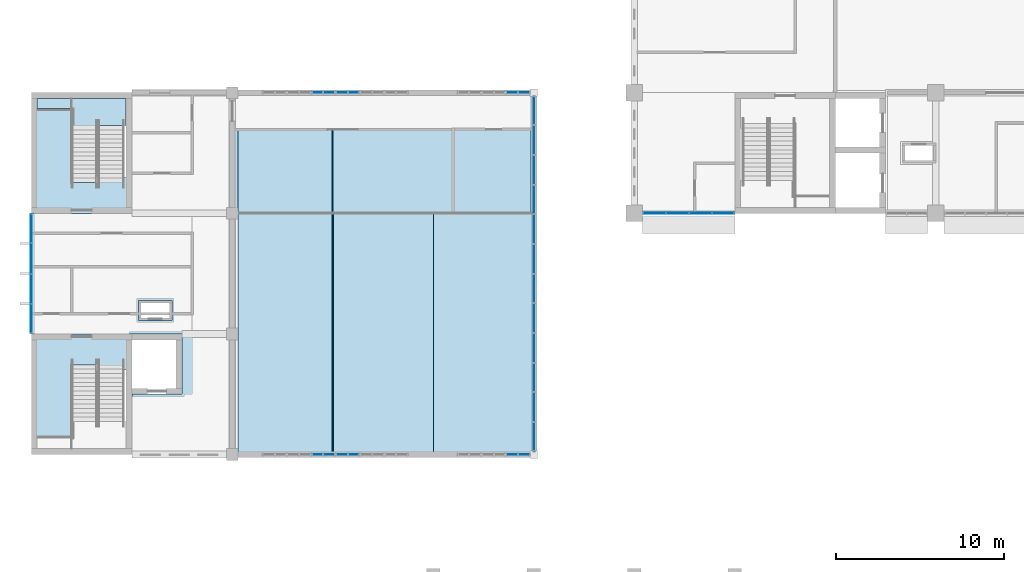
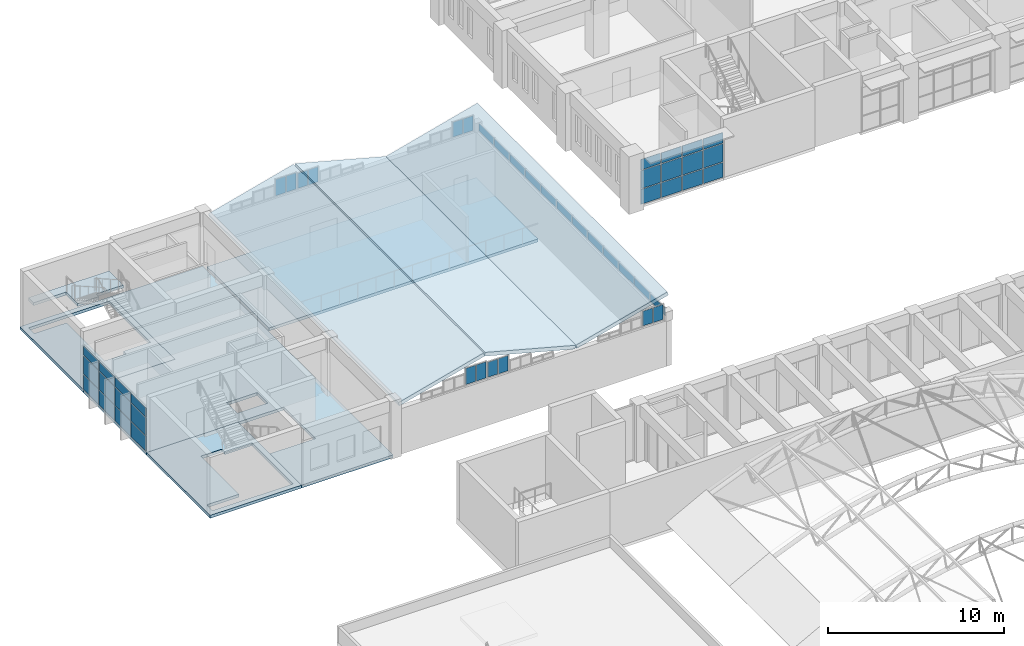
# One storey, part 54 of 92: 48 plates, 8 slabs, 11 elements without a shape of their own.
"""IFC4 building model written with IfcOpenShell, lengths in metres."""

from ifc_helpers import new_model, si_unit, direction, frame, origin, origin_2d, place, context, subcontext, project, spatial, polyline, rectangle, outline, extrude, material, layer, layer_set, type_object, element, aggregate, save


model = new_model("IFC4")

# Units and contexts
model_context = context("Model", 3, precision=1e-05, world=origin(), true_north=direction((0.0, 1.0)))
body_context = subcontext(model_context, "Body", "Model", "MODEL_VIEW")
ifc_project = project(units=[si_unit("LENGTHUNIT", "METRE"), si_unit("AREAUNIT", "SQUARE_METRE"), si_unit("VOLUMEUNIT", "CUBIC_METRE"), si_unit("PLANEANGLEUNIT", "RADIAN"), si_unit("MASSUNIT", "GRAM", prefix="KILO")], contexts=[model_context])

# Site, building, storey
site_placement = place(None, origin())
site = spatial("IfcSite", under=ifc_project, at=site_placement, CompositionType="ELEMENT")
building_placement = place(site_placement, origin())
building = spatial("IfcBuilding", under=site, at=building_placement, Name="Laocheng Heights Fire and Rescue Headquarters", CompositionType="ELEMENT")
storey_placement = place(building_placement, frame((0.0, 0.0, 12.60009765625)))
storey = spatial("IfcBuildingStorey", under=building, at=storey_placement, Name="L03", CompositionType="ELEMENT", Elevation=12.60009765625)

# Curtain wall, plates
ifc_material_1 = material(Name="Dark anodised aluminium unitised curtain wall, low-e double glazing", Category="aluminium")
curtain_wall_type_1 = type_object("IfcCurtainWallType", Name="CW 7200 x 3100 FOYER GLAZING", PredefinedType="NOTDEFINED", material=ifc_material_1)
curtain_wall_1_placement = place(storey_placement, origin())
curtain_wall_1 = element("IfcCurtainWall", 1, at=curtain_wall_1_placement, inside=storey, type_object=curtain_wall_type_1, Name="X3-V FOYER WEST L03", PredefinedType="NOTDEFINED")
ifc_material_2 = material(Name="Laminated safety glass, low-e double glazed unit", Category="glass")
ifc_layer_1 = layer(ifc_material_2, 0.0400390625)
ifc_layer_set_1 = layer_set([ifc_layer_1], Name="Laminated safety glass, low-e double glazed unit")
plate_type_1 = type_object("IfcPlateType", Name="CW LAMINATED SAFETY PANEL 40 V", PredefinedType="CURTAIN_PANEL", material=ifc_layer_set_1)
plate_1_placement = place(storey_placement, frame((0.0, 44.114990234375, 0.050048828125), z_axis=(0.0, 0.0, 1.0), x_axis=(0.0, 1.0, 0.0)))
plate_1 = element("IfcPlate", 2, at=plate_1_placement, type_object=plate_type_1, Name="X3-V panel 1.1", PredefinedType="CURTAIN_PANEL", context=body_context, shape_type="SweptSolid", body=[
    extrude(rectangle(XDim=1.7099609375, YDim=0.0400390625, at=origin_2d()), origin(), (0.0, 0.0, 1.0), 1.02490234375),
])
plate_2_placement = place(storey_placement, frame((0.0, 45.89990234375, 0.050048828125), z_axis=(0.0, 0.0, 1.0), x_axis=(0.0, 1.0, 0.0)))
plate_2 = element("IfcPlate", 3, at=plate_2_placement, type_object=plate_type_1, Name="X3-V panel 2.1", PredefinedType="CURTAIN_PANEL", context=body_context, shape_type="SweptSolid", body=[
    extrude(rectangle(XDim=1.739990234375, YDim=0.0400390625, at=origin_2d()), origin(), (0.0, 0.0, 1.0), 1.02490234375),
])
plate_3_placement = place(storey_placement, frame((0.0, 47.699951171875, 0.050048828125), z_axis=(0.0, 0.0, 1.0), x_axis=(0.0, 1.0, 0.0)))
plate_3 = element("IfcPlate", 4, at=plate_3_placement, type_object=plate_type_1, Name="X3-V panel 3.1", PredefinedType="CURTAIN_PANEL", context=body_context, shape_type="SweptSolid", body=[
    extrude(rectangle(XDim=1.739990234375, YDim=0.0400390625, at=origin_2d()), origin(), (0.0, 0.0, 1.0), 1.02490234375),
])
plate_4_placement = place(storey_placement, frame((0.0, 49.485107421875, 0.050048828125), z_axis=(0.0, 0.0, 1.0), x_axis=(0.0, 1.0, 0.0)))
plate_4 = element("IfcPlate", 5, at=plate_4_placement, type_object=plate_type_1, Name="X3-V panel 4.1", PredefinedType="CURTAIN_PANEL", context=body_context, shape_type="SweptSolid", body=[
    extrude(rectangle(XDim=1.7099609375, YDim=0.0400390625, at=origin_2d()), origin(), (0.0, 0.0, 1.0), 1.02490234375),
])

ifc_material_3 = material(Name="Dark anodised aluminium unitised curtain wall, low-e double glazing", Category="aluminium")
curtain_wall_type_2 = type_object("IfcCurtainWallType", Name="CW 5500 x 3200 HQ SOUTH RIBBON", PredefinedType="NOTDEFINED", material=ifc_material_3)
curtain_wall_2_placement = place(storey_placement, origin())
curtain_wall_2 = element("IfcCurtainWall", 6, at=curtain_wall_2_placement, inside=storey, type_object=curtain_wall_type_2, Name="X8-X HQ SOUTH L03", PredefinedType="NOTDEFINED")
ifc_material_4 = material(Name="Laminated safety glass, low-e double glazed unit", Category="glass")
ifc_layer_2 = layer(ifc_material_4, 0.0400390625)
ifc_layer_set_2 = layer_set([ifc_layer_2], Name="Laminated safety glass, low-e double glazed unit")
plate_type_2 = type_object("IfcPlateType", Name="CW LAMINATED SAFETY PANEL 40 X", PredefinedType="CURTAIN_PANEL", material=ifc_layer_set_2)
plate_5_placement = place(storey_placement, frame((37.202392578125, 50.39990234375, 0.050048828125), z_axis=(0.0, 0.0, 1.0), x_axis=(1.0, 0.0, 0.0)))
plate_5 = element("IfcPlate", 7, at=plate_5_placement, type_object=plate_type_2, Name="X8-X panel 1.1", PredefinedType="CURTAIN_PANEL", context=body_context, shape_type="SweptSolid", body=[
    extrude(rectangle(XDim=1.284912109375, YDim=0.0400390625, at=origin_2d()), origin(), (0.0, 0.0, 1.0), 1.02490234375),
])
plate_6_placement = place(storey_placement, frame((38.5625, 50.39990234375, 0.050048828125), z_axis=(0.0, 0.0, 1.0), x_axis=(1.0, 0.0, 0.0)))
plate_6 = element("IfcPlate", 8, at=plate_6_placement, type_object=plate_type_2, Name="X8-X panel 2.1", PredefinedType="CURTAIN_PANEL", context=body_context, shape_type="SweptSolid", body=[
    extrude(rectangle(XDim=1.31494140625, YDim=0.0400390625, at=origin_2d()), origin(), (0.0, 0.0, 1.0), 1.02490234375),
])
plate_7_placement = place(storey_placement, frame((39.9375, 50.39990234375, 0.050048828125), z_axis=(0.0, 0.0, 1.0), x_axis=(1.0, 0.0, 0.0)))
plate_7 = element("IfcPlate", 9, at=plate_7_placement, type_object=plate_type_2, Name="X8-X panel 3.1", PredefinedType="CURTAIN_PANEL", context=body_context, shape_type="SweptSolid", body=[
    extrude(rectangle(XDim=1.31494140625, YDim=0.0400390625, at=origin_2d()), origin(), (0.0, 0.0, 1.0), 1.02490234375),
])
plate_8_placement = place(storey_placement, frame((41.297607421875, 50.39990234375, 0.050048828125), z_axis=(0.0, 0.0, 1.0), x_axis=(1.0, 0.0, 0.0)))
plate_8 = element("IfcPlate", 10, at=plate_8_placement, type_object=plate_type_2, Name="X8-X panel 4.1", PredefinedType="CURTAIN_PANEL", context=body_context, shape_type="SweptSolid", body=[
    extrude(rectangle(XDim=1.284912109375, YDim=0.0400390625, at=origin_2d()), origin(), (0.0, 0.0, 1.0), 1.02490234375),
])

# Plate
ifc_material_5 = material(Name="Low-e double glazed unit, laminated inner pane")
ifc_layer_3 = layer(ifc_material_5, 0.028076171875)
ifc_layer_set_3 = layer_set([ifc_layer_3], Name="Low-e double glazed unit, laminated inner pane")
plate_type_3 = type_object("IfcPlateType", Name="CW VISION PANEL 28 V", PredefinedType="CURTAIN_PANEL", material=ifc_layer_set_3)
plate_9_placement = place(storey_placement, frame((0.0, 44.114990234375, 1.125), z_axis=(0.0, 0.0, 1.0), x_axis=(0.0, 1.0, 0.0)))
plate_9 = element("IfcPlate", 11, at=plate_9_placement, type_object=plate_type_3, Name="X3-V panel 1.2", PredefinedType="CURTAIN_PANEL", context=body_context, shape_type="SweptSolid", body=[
    extrude(rectangle(XDim=1.7099609375, YDim=0.028076171875, at=origin_2d()), origin(), (0.0, 0.0, 1.0), 1.25),
])

plate_10_placement = place(storey_placement, frame((0.0, 44.114990234375, 2.4248046875), z_axis=(0.0, 0.0, 1.0), x_axis=(0.0, 1.0, 0.0)))
plate_10 = element("IfcPlate", 12, at=plate_10_placement, type_object=plate_type_3, Name="X3-V panel 1.3", PredefinedType="CURTAIN_PANEL", context=body_context, shape_type="SweptSolid", body=[
    extrude(rectangle(XDim=1.7099609375, YDim=0.028076171875, at=origin_2d()), origin(), (0.0, 0.0, 1.0), 0.625),
])

plate_11_placement = place(storey_placement, frame((0.0, 45.89990234375, 1.125), z_axis=(0.0, 0.0, 1.0), x_axis=(0.0, 1.0, 0.0)))
plate_11 = element("IfcPlate", 13, at=plate_11_placement, type_object=plate_type_3, Name="X3-V panel 2.2", PredefinedType="CURTAIN_PANEL", context=body_context, shape_type="SweptSolid", body=[
    extrude(rectangle(XDim=1.739990234375, YDim=0.028076171875, at=origin_2d()), origin(), (0.0, 0.0, 1.0), 1.25),
])

plate_12_placement = place(storey_placement, frame((0.0, 45.89990234375, 2.4248046875), z_axis=(0.0, 0.0, 1.0), x_axis=(0.0, 1.0, 0.0)))
plate_12 = element("IfcPlate", 14, at=plate_12_placement, type_object=plate_type_3, Name="X3-V panel 2.3", PredefinedType="CURTAIN_PANEL", context=body_context, shape_type="SweptSolid", body=[
    extrude(rectangle(XDim=1.739990234375, YDim=0.028076171875, at=origin_2d()), origin(), (0.0, 0.0, 1.0), 0.625),
])

plate_13_placement = place(storey_placement, frame((0.0, 47.699951171875, 1.125), z_axis=(0.0, 0.0, 1.0), x_axis=(0.0, 1.0, 0.0)))
plate_13 = element("IfcPlate", 15, at=plate_13_placement, type_object=plate_type_3, Name="X3-V panel 3.2", PredefinedType="CURTAIN_PANEL", context=body_context, shape_type="SweptSolid", body=[
    extrude(rectangle(XDim=1.739990234375, YDim=0.028076171875, at=origin_2d()), origin(), (0.0, 0.0, 1.0), 1.25),
])

plate_14_placement = place(storey_placement, frame((0.0, 47.699951171875, 2.4248046875), z_axis=(0.0, 0.0, 1.0), x_axis=(0.0, 1.0, 0.0)))
plate_14 = element("IfcPlate", 16, at=plate_14_placement, type_object=plate_type_3, Name="X3-V panel 3.3", PredefinedType="CURTAIN_PANEL", context=body_context, shape_type="SweptSolid", body=[
    extrude(rectangle(XDim=1.739990234375, YDim=0.028076171875, at=origin_2d()), origin(), (0.0, 0.0, 1.0), 0.625),
])

plate_15_placement = place(storey_placement, frame((0.0, 49.485107421875, 1.125), z_axis=(0.0, 0.0, 1.0), x_axis=(0.0, 1.0, 0.0)))
plate_15 = element("IfcPlate", 17, at=plate_15_placement, type_object=plate_type_3, Name="X3-V panel 4.2", PredefinedType="CURTAIN_PANEL", context=body_context, shape_type="SweptSolid", body=[
    extrude(rectangle(XDim=1.7099609375, YDim=0.028076171875, at=origin_2d()), origin(), (0.0, 0.0, 1.0), 1.25),
])

plate_16_placement = place(storey_placement, frame((0.0, 49.485107421875, 2.4248046875), z_axis=(0.0, 0.0, 1.0), x_axis=(0.0, 1.0, 0.0)))
plate_16 = element("IfcPlate", 18, at=plate_16_placement, type_object=plate_type_3, Name="X3-V panel 4.3", PredefinedType="CURTAIN_PANEL", context=body_context, shape_type="SweptSolid", body=[
    extrude(rectangle(XDim=1.7099609375, YDim=0.028076171875, at=origin_2d()), origin(), (0.0, 0.0, 1.0), 0.625),
])

aggregate(curtain_wall_1, [plate_1, plate_9, plate_10, plate_2, plate_11, plate_12, plate_3, plate_13, plate_14, plate_4, plate_15, plate_16])

# Curtain wall, plates
ifc_material_6 = material(Name="Dark anodised aluminium unitised curtain wall, low-e double glazing", Category="aluminium")
curtain_wall_type_3 = type_object("IfcCurtainWallType", Name="CW 21250 x 636 THEATRE CLERESTORY", PredefinedType="NOTDEFINED", material=ifc_material_6)
curtain_wall_3_placement = place(storey_placement, origin())
curtain_wall_3 = element("IfcCurtainWall", 19, at=curtain_wall_3_placement, inside=storey, type_object=curtain_wall_type_3, Name="X5-V THEATRE CLERESTORY EAST", PredefinedType="NOTDEFINED")
plate_17_placement = place(storey_placement, frame((30.0, 37.075439453125, 3.19970703125), z_axis=(0.0, 0.0, 1.0), x_axis=(0.0, 1.0, 0.0)))
plate_17 = element("IfcPlate", 20, at=plate_17_placement, type_object=plate_type_3, Name="X5-V panel 1.1", PredefinedType="CURTAIN_PANEL", context=body_context, shape_type="SweptSolid", body=[
    extrude(rectangle(XDim=1.680908203125, YDim=0.028076171875, at=origin_2d()), origin(), (0.0, 0.0, 1.0), 0.536376953125),
])
plate_18_placement = place(storey_placement, frame((30.0, 38.831298828125, 3.19970703125), z_axis=(0.0, 0.0, 1.0), x_axis=(0.0, 1.0, 0.0)))
plate_18 = element("IfcPlate", 21, at=plate_18_placement, type_object=plate_type_3, Name="X5-V panel 2.1", PredefinedType="CURTAIN_PANEL", context=body_context, shape_type="SweptSolid", body=[
    extrude(rectangle(XDim=1.7109375, YDim=0.028076171875, at=origin_2d()), origin(), (0.0, 0.0, 1.0), 0.536376953125),
])
plate_19_placement = place(storey_placement, frame((30.0, 40.60205078125, 3.19970703125), z_axis=(0.0, 0.0, 1.0), x_axis=(0.0, 1.0, 0.0)))
plate_19 = element("IfcPlate", 22, at=plate_19_placement, type_object=plate_type_3, Name="X5-V panel 3.1", PredefinedType="CURTAIN_PANEL", context=body_context, shape_type="SweptSolid", body=[
    extrude(rectangle(XDim=1.7109375, YDim=0.028076171875, at=origin_2d()), origin(), (0.0, 0.0, 1.0), 0.536376953125),
])
plate_20_placement = place(storey_placement, frame((30.0, 42.372802734375, 3.19970703125), z_axis=(0.0, 0.0, 1.0), x_axis=(0.0, 1.0, 0.0)))
plate_20 = element("IfcPlate", 23, at=plate_20_placement, type_object=plate_type_3, Name="X5-V panel 4.1", PredefinedType="CURTAIN_PANEL", context=body_context, shape_type="SweptSolid", body=[
    extrude(rectangle(XDim=1.7109375, YDim=0.028076171875, at=origin_2d()), origin(), (0.0, 0.0, 1.0), 0.536376953125),
])
plate_21_placement = place(storey_placement, frame((30.0, 44.143798828125, 3.19970703125), z_axis=(0.0, 0.0, 1.0), x_axis=(0.0, 1.0, 0.0)))
plate_21 = element("IfcPlate", 24, at=plate_21_placement, type_object=plate_type_3, Name="X5-V panel 5.1", PredefinedType="CURTAIN_PANEL", context=body_context, shape_type="SweptSolid", body=[
    extrude(rectangle(XDim=1.7109375, YDim=0.028076171875, at=origin_2d()), origin(), (0.0, 0.0, 1.0), 0.536376953125),
])
plate_22_placement = place(storey_placement, frame((30.0, 45.91455078125, 3.19970703125), z_axis=(0.0, 0.0, 1.0), x_axis=(0.0, 1.0, 0.0)))
plate_22 = element("IfcPlate", 25, at=plate_22_placement, type_object=plate_type_3, Name="X5-V panel 6.1", PredefinedType="CURTAIN_PANEL", context=body_context, shape_type="SweptSolid", body=[
    extrude(rectangle(XDim=1.7109375, YDim=0.028076171875, at=origin_2d()), origin(), (0.0, 0.0, 1.0), 0.536376953125),
])
plate_23_placement = place(storey_placement, frame((30.0, 47.685302734375, 3.19970703125), z_axis=(0.0, 0.0, 1.0), x_axis=(0.0, 1.0, 0.0)))
plate_23 = element("IfcPlate", 26, at=plate_23_placement, type_object=plate_type_3, Name="X5-V panel 7.1", PredefinedType="CURTAIN_PANEL", context=body_context, shape_type="SweptSolid", body=[
    extrude(rectangle(XDim=1.7109375, YDim=0.028076171875, at=origin_2d()), origin(), (0.0, 0.0, 1.0), 0.536376953125),
])
plate_24_placement = place(storey_placement, frame((30.0, 49.456298828125, 3.19970703125), z_axis=(0.0, 0.0, 1.0), x_axis=(0.0, 1.0, 0.0)))
plate_24 = element("IfcPlate", 27, at=plate_24_placement, type_object=plate_type_3, Name="X5-V panel 8.1", PredefinedType="CURTAIN_PANEL", context=body_context, shape_type="SweptSolid", body=[
    extrude(rectangle(XDim=1.7109375, YDim=0.028076171875, at=origin_2d()), origin(), (0.0, 0.0, 1.0), 0.536376953125),
])
plate_25_placement = place(storey_placement, frame((30.0, 51.22705078125, 3.19970703125), z_axis=(0.0, 0.0, 1.0), x_axis=(0.0, 1.0, 0.0)))
plate_25 = element("IfcPlate", 28, at=plate_25_placement, type_object=plate_type_3, Name="X5-V panel 9.1", PredefinedType="CURTAIN_PANEL", context=body_context, shape_type="SweptSolid", body=[
    extrude(rectangle(XDim=1.7109375, YDim=0.028076171875, at=origin_2d()), origin(), (0.0, 0.0, 1.0), 0.536376953125),
])
plate_26_placement = place(storey_placement, frame((30.0, 52.997802734375, 3.19970703125), z_axis=(0.0, 0.0, 1.0), x_axis=(0.0, 1.0, 0.0)))
plate_26 = element("IfcPlate", 29, at=plate_26_placement, type_object=plate_type_3, Name="X5-V panel 10.1", PredefinedType="CURTAIN_PANEL", context=body_context, shape_type="SweptSolid", body=[
    extrude(rectangle(XDim=1.7109375, YDim=0.028076171875, at=origin_2d()), origin(), (0.0, 0.0, 1.0), 0.536376953125),
])
plate_27_placement = place(storey_placement, frame((30.0, 54.768798828125, 3.19970703125), z_axis=(0.0, 0.0, 1.0), x_axis=(0.0, 1.0, 0.0)))
plate_27 = element("IfcPlate", 30, at=plate_27_placement, type_object=plate_type_3, Name="X5-V panel 11.1", PredefinedType="CURTAIN_PANEL", context=body_context, shape_type="SweptSolid", body=[
    extrude(rectangle(XDim=1.7109375, YDim=0.028076171875, at=origin_2d()), origin(), (0.0, 0.0, 1.0), 0.536376953125),
])
plate_28_placement = place(storey_placement, frame((30.0, 56.524658203125, 3.19970703125), z_axis=(0.0, 0.0, 1.0), x_axis=(0.0, 1.0, 0.0)))
plate_28 = element("IfcPlate", 31, at=plate_28_placement, type_object=plate_type_3, Name="X5-V panel 12.1", PredefinedType="CURTAIN_PANEL", context=body_context, shape_type="SweptSolid", body=[
    extrude(rectangle(XDim=1.680908203125, YDim=0.028076171875, at=origin_2d()), origin(), (0.0, 0.0, 1.0), 0.536376953125),
])
aggregate(curtain_wall_3, [plate_17, plate_18, plate_19, plate_20, plate_21, plate_22, plate_23, plate_24, plate_25, plate_26, plate_27, plate_28])

ifc_material_7 = material(Name="Dark anodised aluminium unitised curtain wall, low-e double glazing", Category="aluminium")
curtain_wall_type_4 = type_object("IfcCurtainWallType", Name="CW 1452 x 1228 THEATRE GABLE UNIT", PredefinedType="NOTDEFINED", material=ifc_material_7)
curtain_wall_4_placement = place(storey_placement, origin())
curtain_wall_4 = element("IfcCurtainWall", 32, at=curtain_wall_4_placement, inside=storey, type_object=curtain_wall_type_4, Name="X8-V THEATRE SOUTH GABLE 4", PredefinedType="NOTDEFINED")
plate_29_placement = place(storey_placement, frame((17.084228515625, 36.0, 3.20849609375), z_axis=(0.0, 0.0, 1.0), x_axis=(1.0, 0.0, 0.0)))
plate_29 = element("IfcPlate", 33, at=plate_29_placement, type_object=plate_type_3, Name="X8-V panel 1.1", PredefinedType="CURTAIN_PANEL", context=body_context, shape_type="SweptSolid", body=[
    extrude(rectangle(XDim=0.635986328125, YDim=0.028076171875, at=origin_2d()), origin(), (0.0, 0.0, 1.0), 1.127685546875),
])
plate_30_placement = place(storey_placement, frame((17.7802734375, 36.0, 3.20849609375), z_axis=(0.0, 0.0, 1.0), x_axis=(1.0, 0.0, 0.0)))
plate_30 = element("IfcPlate", 34, at=plate_30_placement, type_object=plate_type_3, Name="X8-V panel 2.1", PredefinedType="CURTAIN_PANEL", context=body_context, shape_type="SweptSolid", body=[
    extrude(rectangle(XDim=0.635986328125, YDim=0.028076171875, at=origin_2d()), origin(), (0.0, 0.0, 1.0), 1.127685546875),
])
aggregate(curtain_wall_4, [plate_29, plate_30])

ifc_material_8 = material(Name="Dark anodised aluminium unitised curtain wall, low-e double glazing", Category="aluminium")
curtain_wall_type_5 = type_object("IfcCurtainWallType", Name="CW 1452 x 1143 THEATRE GABLE UNIT", PredefinedType="NOTDEFINED", material=ifc_material_8)
curtain_wall_5_placement = place(storey_placement, origin())
curtain_wall_5 = element("IfcCurtainWall", 35, at=curtain_wall_5_placement, inside=storey, type_object=curtain_wall_type_5, Name="X9-V THEATRE SOUTH GABLE 5", PredefinedType="NOTDEFINED")
plate_31_placement = place(storey_placement, frame((18.536376953125, 36.0, 3.20849609375), z_axis=(0.0, 0.0, 1.0), x_axis=(1.0, 0.0, 0.0)))
plate_31 = element("IfcPlate", 36, at=plate_31_placement, type_object=plate_type_3, Name="X9-V panel 1.1", PredefinedType="CURTAIN_PANEL", context=body_context, shape_type="SweptSolid", body=[
    extrude(rectangle(XDim=0.635986328125, YDim=0.028076171875, at=origin_2d()), origin(), (0.0, 0.0, 1.0), 1.043212890625),
])
plate_32_placement = place(storey_placement, frame((19.232421875, 36.0, 3.20849609375), z_axis=(0.0, 0.0, 1.0), x_axis=(1.0, 0.0, 0.0)))
plate_32 = element("IfcPlate", 37, at=plate_32_placement, type_object=plate_type_3, Name="X9-V panel 2.1", PredefinedType="CURTAIN_PANEL", context=body_context, shape_type="SweptSolid", body=[
    extrude(rectangle(XDim=0.635986328125, YDim=0.028076171875, at=origin_2d()), origin(), (0.0, 0.0, 1.0), 1.043212890625),
])
aggregate(curtain_wall_5, [plate_31, plate_32])

ifc_material_9 = material(Name="Dark anodised aluminium unitised curtain wall, low-e double glazing", Category="aluminium")
curtain_wall_type_6 = type_object("IfcCurtainWallType", Name="CW 1452 x 1126 THEATRE GABLE UNIT", PredefinedType="NOTDEFINED", material=ifc_material_9)
curtain_wall_6_placement = place(storey_placement, origin())
curtain_wall_6 = element("IfcCurtainWall", 38, at=curtain_wall_6_placement, inside=storey, type_object=curtain_wall_type_6, Name="X14-V THEATRE SOUTH GABLE 12", PredefinedType="NOTDEFINED")
plate_33_placement = place(storey_placement, frame((28.700927734375, 36.0, 3.20849609375), z_axis=(0.0, 0.0, 1.0), x_axis=(1.0, 0.0, 0.0)))
plate_33 = element("IfcPlate", 39, at=plate_33_placement, type_object=plate_type_3, Name="X14-V panel 1.1", PredefinedType="CURTAIN_PANEL", context=body_context, shape_type="SweptSolid", body=[
    extrude(rectangle(XDim=0.635986328125, YDim=0.028076171875, at=origin_2d()), origin(), (0.0, 0.0, 1.0), 1.025390625),
])
plate_34_placement = place(storey_placement, frame((29.39697265625, 36.0, 3.20849609375), z_axis=(0.0, 0.0, 1.0), x_axis=(1.0, 0.0, 0.0)))
plate_34 = element("IfcPlate", 40, at=plate_34_placement, type_object=plate_type_3, Name="X14-V panel 2.1", PredefinedType="CURTAIN_PANEL", context=body_context, shape_type="SweptSolid", body=[
    extrude(rectangle(XDim=0.635986328125, YDim=0.028076171875, at=origin_2d()), origin(), (0.0, 0.0, 1.0), 1.025390625),
])
aggregate(curtain_wall_6, [plate_33, plate_34])

curtain_wall_7_placement = place(storey_placement, origin())
curtain_wall_7 = element("IfcCurtainWall", 41, at=curtain_wall_7_placement, inside=storey, type_object=curtain_wall_type_4, Name="X8-V THEATRE NORTH GABLE 4", PredefinedType="NOTDEFINED")
plate_35_placement = place(storey_placement, frame((17.084228515625, 57.60009765625, 3.20849609375), z_axis=(0.0, 0.0, 1.0), x_axis=(1.0, 0.0, 0.0)))
plate_35 = element("IfcPlate", 42, at=plate_35_placement, type_object=plate_type_3, Name="X8-V panel 1.1", PredefinedType="CURTAIN_PANEL", context=body_context, shape_type="SweptSolid", body=[
    extrude(rectangle(XDim=0.635986328125, YDim=0.028076171875, at=origin_2d()), origin(), (0.0, 0.0, 1.0), 1.127685546875),
])
plate_36_placement = place(storey_placement, frame((17.7802734375, 57.60009765625, 3.20849609375), z_axis=(0.0, 0.0, 1.0), x_axis=(1.0, 0.0, 0.0)))
plate_36 = element("IfcPlate", 43, at=plate_36_placement, type_object=plate_type_3, Name="X8-V panel 2.1", PredefinedType="CURTAIN_PANEL", context=body_context, shape_type="SweptSolid", body=[
    extrude(rectangle(XDim=0.635986328125, YDim=0.028076171875, at=origin_2d()), origin(), (0.0, 0.0, 1.0), 1.127685546875),
])
aggregate(curtain_wall_7, [plate_35, plate_36])

curtain_wall_8_placement = place(storey_placement, origin())
curtain_wall_8 = element("IfcCurtainWall", 44, at=curtain_wall_8_placement, inside=storey, type_object=curtain_wall_type_5, Name="X9-V THEATRE NORTH GABLE 5", PredefinedType="NOTDEFINED")
plate_37_placement = place(storey_placement, frame((18.536376953125, 57.60009765625, 3.20849609375), z_axis=(0.0, 0.0, 1.0), x_axis=(1.0, 0.0, 0.0)))
plate_37 = element("IfcPlate", 45, at=plate_37_placement, type_object=plate_type_3, Name="X9-V panel 1.1", PredefinedType="CURTAIN_PANEL", context=body_context, shape_type="SweptSolid", body=[
    extrude(rectangle(XDim=0.635986328125, YDim=0.028076171875, at=origin_2d()), origin(), (0.0, 0.0, 1.0), 1.043212890625),
])
plate_38_placement = place(storey_placement, frame((19.232421875, 57.60009765625, 3.20849609375), z_axis=(0.0, 0.0, 1.0), x_axis=(1.0, 0.0, 0.0)))
plate_38 = element("IfcPlate", 46, at=plate_38_placement, type_object=plate_type_3, Name="X9-V panel 2.1", PredefinedType="CURTAIN_PANEL", context=body_context, shape_type="SweptSolid", body=[
    extrude(rectangle(XDim=0.635986328125, YDim=0.028076171875, at=origin_2d()), origin(), (0.0, 0.0, 1.0), 1.043212890625),
])
aggregate(curtain_wall_8, [plate_37, plate_38])

curtain_wall_9_placement = place(storey_placement, origin())
curtain_wall_9 = element("IfcCurtainWall", 47, at=curtain_wall_9_placement, inside=storey, type_object=curtain_wall_type_6, Name="X14-V THEATRE NORTH GABLE 12", PredefinedType="NOTDEFINED")
plate_39_placement = place(storey_placement, frame((28.700927734375, 57.60009765625, 3.20849609375), z_axis=(0.0, 0.0, 1.0), x_axis=(1.0, 0.0, 0.0)))
plate_39 = element("IfcPlate", 48, at=plate_39_placement, type_object=plate_type_3, Name="X14-V panel 1.1", PredefinedType="CURTAIN_PANEL", context=body_context, shape_type="SweptSolid", body=[
    extrude(rectangle(XDim=0.635986328125, YDim=0.028076171875, at=origin_2d()), origin(), (0.0, 0.0, 1.0), 1.025390625),
])
plate_40_placement = place(storey_placement, frame((29.39697265625, 57.60009765625, 3.20849609375), z_axis=(0.0, 0.0, 1.0), x_axis=(1.0, 0.0, 0.0)))
plate_40 = element("IfcPlate", 49, at=plate_40_placement, type_object=plate_type_3, Name="X14-V panel 2.1", PredefinedType="CURTAIN_PANEL", context=body_context, shape_type="SweptSolid", body=[
    extrude(rectangle(XDim=0.635986328125, YDim=0.028076171875, at=origin_2d()), origin(), (0.0, 0.0, 1.0), 1.025390625),
])
aggregate(curtain_wall_9, [plate_39, plate_40])

# Plate
ifc_material_10 = material(Name="Low-e double glazed unit, laminated inner pane")
ifc_layer_4 = layer(ifc_material_10, 0.028076171875)
ifc_layer_set_4 = layer_set([ifc_layer_4], Name="Low-e double glazed unit, laminated inner pane")
plate_type_4 = type_object("IfcPlateType", Name="CW VISION PANEL 28 X", PredefinedType="CURTAIN_PANEL", material=ifc_layer_set_4)
plate_41_placement = place(storey_placement, frame((37.202392578125, 50.39990234375, 1.125), z_axis=(0.0, 0.0, 1.0), x_axis=(1.0, 0.0, 0.0)))
plate_41 = element("IfcPlate", 50, at=plate_41_placement, type_object=plate_type_4, Name="X8-X panel 1.2", PredefinedType="CURTAIN_PANEL", context=body_context, shape_type="SweptSolid", body=[
    extrude(rectangle(XDim=1.284912109375, YDim=0.028076171875, at=origin_2d()), origin(), (0.0, 0.0, 1.0), 1.25),
])

plate_42_placement = place(storey_placement, frame((37.202392578125, 50.39990234375, 2.4248046875), z_axis=(0.0, 0.0, 1.0), x_axis=(1.0, 0.0, 0.0)))
plate_42 = element("IfcPlate", 51, at=plate_42_placement, type_object=plate_type_4, Name="X8-X panel 1.3", PredefinedType="CURTAIN_PANEL", context=body_context, shape_type="SweptSolid", body=[
    extrude(rectangle(XDim=1.284912109375, YDim=0.028076171875, at=origin_2d()), origin(), (0.0, 0.0, 1.0), 0.72509765625),
])

plate_43_placement = place(storey_placement, frame((38.5625, 50.39990234375, 1.125), z_axis=(0.0, 0.0, 1.0), x_axis=(1.0, 0.0, 0.0)))
plate_43 = element("IfcPlate", 52, at=plate_43_placement, type_object=plate_type_4, Name="X8-X panel 2.2", PredefinedType="CURTAIN_PANEL", context=body_context, shape_type="SweptSolid", body=[
    extrude(rectangle(XDim=1.31494140625, YDim=0.028076171875, at=origin_2d()), origin(), (0.0, 0.0, 1.0), 1.25),
])

plate_44_placement = place(storey_placement, frame((38.5625, 50.39990234375, 2.4248046875), z_axis=(0.0, 0.0, 1.0), x_axis=(1.0, 0.0, 0.0)))
plate_44 = element("IfcPlate", 53, at=plate_44_placement, type_object=plate_type_4, Name="X8-X panel 2.3", PredefinedType="CURTAIN_PANEL", context=body_context, shape_type="SweptSolid", body=[
    extrude(rectangle(XDim=1.31494140625, YDim=0.028076171875, at=origin_2d()), origin(), (0.0, 0.0, 1.0), 0.72509765625),
])

plate_45_placement = place(storey_placement, frame((39.9375, 50.39990234375, 1.125), z_axis=(0.0, 0.0, 1.0), x_axis=(1.0, 0.0, 0.0)))
plate_45 = element("IfcPlate", 54, at=plate_45_placement, type_object=plate_type_4, Name="X8-X panel 3.2", PredefinedType="CURTAIN_PANEL", context=body_context, shape_type="SweptSolid", body=[
    extrude(rectangle(XDim=1.31494140625, YDim=0.028076171875, at=origin_2d()), origin(), (0.0, 0.0, 1.0), 1.25),
])

plate_46_placement = place(storey_placement, frame((39.9375, 50.39990234375, 2.4248046875), z_axis=(0.0, 0.0, 1.0), x_axis=(1.0, 0.0, 0.0)))
plate_46 = element("IfcPlate", 55, at=plate_46_placement, type_object=plate_type_4, Name="X8-X panel 3.3", PredefinedType="CURTAIN_PANEL", context=body_context, shape_type="SweptSolid", body=[
    extrude(rectangle(XDim=1.31494140625, YDim=0.028076171875, at=origin_2d()), origin(), (0.0, 0.0, 1.0), 0.72509765625),
])

plate_47_placement = place(storey_placement, frame((41.297607421875, 50.39990234375, 1.125), z_axis=(0.0, 0.0, 1.0), x_axis=(1.0, 0.0, 0.0)))
plate_47 = element("IfcPlate", 56, at=plate_47_placement, type_object=plate_type_4, Name="X8-X panel 4.2", PredefinedType="CURTAIN_PANEL", context=body_context, shape_type="SweptSolid", body=[
    extrude(rectangle(XDim=1.284912109375, YDim=0.028076171875, at=origin_2d()), origin(), (0.0, 0.0, 1.0), 1.25),
])

plate_48_placement = place(storey_placement, frame((41.297607421875, 50.39990234375, 2.4248046875), z_axis=(0.0, 0.0, 1.0), x_axis=(1.0, 0.0, 0.0)))
plate_48 = element("IfcPlate", 57, at=plate_48_placement, type_object=plate_type_4, Name="X8-X panel 4.3", PredefinedType="CURTAIN_PANEL", context=body_context, shape_type="SweptSolid", body=[
    extrude(rectangle(XDim=1.284912109375, YDim=0.028076171875, at=origin_2d()), origin(), (0.0, 0.0, 1.0), 0.72509765625),
])

aggregate(curtain_wall_2, [plate_5, plate_41, plate_42, plate_6, plate_43, plate_44, plate_7, plate_45, plate_46, plate_8, plate_47, plate_48])

# Slabs
ifc_material_11 = material(Name="Concrete C40", Category="concrete")
ifc_layer_5 = layer(ifc_material_11, 0.199951171875)
ifc_layer_set_5 = layer_set([ifc_layer_5], Name="Concrete C40")
slab_type_1 = type_object("IfcSlabType", Name="RC FLOOR SLAB 200 FOYER", PredefinedType="FLOOR", material=ifc_layer_set_5)
slab_1_placement = place(storey_placement, frame((0.0, 0.0, -0.2001953125)))
element("IfcSlab", 58, at=slab_1_placement, inside=storey, type_object=slab_type_1, Name="Foyer floor L03", PredefinedType="FLOOR", context=body_context, shape_type="SweptSolid", body=[
    extrude(outline(polyline([(12.0, 57.60009765625), (6.0, 57.60009765625), (6.0, 50.39990234375), (0.0, 50.39990234375), (0.0, 43.199951171875), (9.0, 43.199951171875), (9.0, 39.60009765625), (6.0, 39.60009765625), (6.0, 36.0), (12.0, 36.0), (12.0, 57.60009765625)]), holes=[polyline([(8.39990234375, 45.199951171875), (8.39990234375, 44.0), (6.39990234375, 44.0), (6.39990234375, 45.199951171875), (8.39990234375, 45.199951171875)])]), origin(), (0.0, 0.0, 1.0), 0.2001953125),
])
ifc_material_12 = material(Name="Concrete C40", Category="concrete")
ifc_layer_6 = layer(ifc_material_12, 0.25)
ifc_layer_set_6 = layer_set([ifc_layer_6], Name="Concrete C40")
slab_type_2 = type_object("IfcSlabType", Name="RC FOLDED PLATE FACET 250", PredefinedType="ROOF", material=ifc_layer_set_6)
slab_2_placement = place(storey_placement, frame((12.35009765625, 36.0, 3.4931640625), z_axis=(-0.257673146453, 0.0, 0.966232140635), x_axis=(0.966232140635, 0.0, 0.257673146453)))
element("IfcSlab", 59, at=slab_2_placement, inside=storey, type_object=slab_type_2, Name="Folded roof facet 1", PredefinedType="ROOF", context=body_context, shape_type="SweptSolid", body=[
    extrude(outline(polyline([(0.0, 0.0), (5.791008960533489, 0.0), (5.791008960533489, 21.60009765625), (0.0, 21.60009765625), (0.0, 0.0)])), origin(), (0.0, 0.0, -1.0), 0.25),
])
slab_3_placement = place(storey_placement, frame((18.054443359375, 36.0, 4.9853515625), z_axis=(0.257657711602, 0.0, 0.966236256643), x_axis=(0.966236256643, 0.0, -0.257657711602)))
element("IfcSlab", 60, at=slab_3_placement, inside=storey, type_object=slab_type_2, Name="Folded roof facet 2", PredefinedType="ROOF", context=body_context, shape_type="SweptSolid", body=[
    extrude(outline(polyline([(0.0, 0.0), (6.153315609662406, 0.0), (6.153315609662406, 21.600097656250004), (0.0, 21.600097656250004), (0.0, 0.0)])), origin(), (0.0, 0.0, -1.0), 0.25),
])
slab_4_placement = place(storey_placement, frame((24.0, 36.0, 3.39990234375), z_axis=(-0.25767733287, 0.0, 0.966231024199), x_axis=(0.966231024199, 0.0, 0.25767733287)))
element("IfcSlab", 61, at=slab_4_placement, inside=storey, type_object=slab_type_2, Name="Folded roof facet 3", PredefinedType="ROOF", context=body_context, shape_type="SweptSolid", body=[
    extrude(outline(polyline([(0.0, 0.0), (6.20969504158914, 0.0), (6.20969504158914, 21.60009765625), (0.0, 21.60009765625), (0.0, 0.0)])), origin(), (0.0, 0.0, -1.0), 0.25),
])
ifc_material_13 = material(Name="Concrete C40", Category="concrete")
ifc_layer_7 = layer(ifc_material_13, 0.199951171875)
ifc_layer_set_7 = layer_set([ifc_layer_7], Name="Concrete C40")
slab_type_3 = type_object("IfcSlabType", Name="RC GALLERY SLAB 200 THEATRE", PredefinedType="FLOOR", material=ifc_layer_set_7)
slab_5_placement = place(storey_placement, frame((0.0, 0.0, -0.2001953125)))
element("IfcSlab", 62, at=slab_5_placement, inside=storey, type_object=slab_type_3, Name="Upper gallery", PredefinedType="FLOOR", context=body_context, shape_type="SweptSolid", body=[
    extrude(outline(polyline([(29.824951171875, 50.39990234375), (29.824951171875, 57.425048828125), (12.175048828125, 57.425048828125), (12.175048828125, 50.39990234375), (29.824951171875, 50.39990234375)])), origin(), (0.0, 0.0, 1.0), 0.2001953125),
])

# Stair, slab
ifc_material_14 = material(Name="Concrete C40", Category="concrete")
stair_type = type_object("IfcStairType", Name="RC STAIR 1400 TWO FLIGHTS 28 RISERS OF 150 GOING 260", PredefinedType="HALF_TURN_STAIR", material=ifc_material_14)
stair_1_placement = place(storey_placement, origin())
stair_1 = element("IfcStair", 63, at=stair_1_placement, inside=storey, type_object=stair_type, Name="Stair P1 (L03 to L04)", PredefinedType="HALF_TURN_STAIR")
ifc_material_15 = material(Name="Concrete C40", Category="concrete")
ifc_layer_8 = layer(ifc_material_15, 0.199951171875)
ifc_layer_set_8 = layer_set([ifc_layer_8], Name="Concrete C40")
slab_type_4 = type_object("IfcSlabType", Name="STAIR FLOOR LANDING 200", PredefinedType="LANDING", material=ifc_layer_set_8)
slab_6_placement = place(storey_placement, frame((0.0, 0.0, -0.2001953125)))
slab_6 = element("IfcSlab", 64, at=slab_6_placement, type_object=slab_type_4, Name="Stair P1 floor landing L03", PredefinedType="LANDING", context=body_context, shape_type="SweptSolid", body=[
    extrude(outline(polyline([(0.0, 43.199951171875), (6.0, 43.199951171875), (6.0, 36.0), (0.0, 36.0), (0.0, 43.199951171875)]), holes=[polyline([(3.875, 41.0498046875), (3.875, 41.346923828125), (2.47509765625, 41.346923828125), (2.47509765625, 38.270263671875), (2.47509765625, 37.0), (0.39990234375, 37.0), (0.39990234375, 36.949951171875), (0.35009765625, 36.949951171875), (0.35009765625, 36.35009765625), (2.47509765625, 36.35009765625), (3.875, 36.35009765625), (5.64990234375, 36.35009765625), (5.64990234375, 37.972900390625), (5.64990234375, 41.0498046875), (3.875, 41.0498046875)])]), origin(), (0.0, 0.0, 1.0), 0.2001953125),
])
aggregate(stair_1, [slab_6])

# Stair, slabs
stair_2_placement = place(storey_placement, origin())
stair_2 = element("IfcStair", 65, at=stair_2_placement, inside=storey, type_object=stair_type, Name="Stair P2 (L03 to L04)", PredefinedType="HALF_TURN_STAIR")
slab_7_placement = place(storey_placement, frame((0.0, 0.0, -0.2001953125)))
slab_7 = element("IfcSlab", 66, at=slab_7_placement, type_object=slab_type_4, Name="Stair P2 floor landing L03", PredefinedType="LANDING", context=body_context, shape_type="SweptSolid", body=[
    extrude(outline(polyline([(0.0, 57.60009765625), (6.0, 57.60009765625), (6.0, 50.39990234375), (0.0, 50.39990234375), (0.0, 57.60009765625)]), holes=[polyline([(2.47509765625, 57.25), (0.35009765625, 57.25), (0.35009765625, 56.64990234375), (0.39990234375, 56.64990234375), (0.39990234375, 56.60009765625), (2.47509765625, 56.60009765625), (2.47509765625, 55.329833984375), (2.47509765625, 52.2529296875), (3.875, 52.2529296875), (3.875, 52.550048828125), (5.64990234375, 52.550048828125), (5.64990234375, 55.626953125), (5.64990234375, 57.25), (3.875, 57.25), (2.47509765625, 57.25)])]), origin(), (0.0, 0.0, 1.0), 0.2001953125),
])
ifc_material_16 = material(Name="Concrete C40", Category="concrete")
ifc_layer_9 = layer(ifc_material_16, 0.201904296875)
ifc_layer_set_9 = layer_set([ifc_layer_9], Name="Concrete C40")
slab_type_5 = type_object("IfcSlabType", Name="STAIR HALF LANDING 202", PredefinedType="LANDING", material=ifc_layer_set_9)
slab_8_placement = place(storey_placement, frame((0.0, 0.0, 1.89990234375)))
slab_8 = element("IfcSlab", 67, at=slab_8_placement, type_object=slab_type_5, Name="P2-L03 landing 1", PredefinedType="LANDING", context=body_context, shape_type="SweptSolid", body=[
    extrude(outline(polyline([(0.35009765625, 56.64990234375), (0.35009765625, 57.25), (2.47509765625, 57.25), (3.875, 57.25), (5.64990234375, 57.25), (5.64990234375, 55.626953125), (3.875, 55.626953125), (3.875, 55.329833984375), (2.47509765625, 55.329833984375), (2.47509765625, 56.64990234375), (0.35009765625, 56.64990234375)])), origin(), (0.0, 0.0, 1.0), 0.201904296875),
])
aggregate(stair_2, [slab_8, slab_7])

save(model, "model.ifc")
